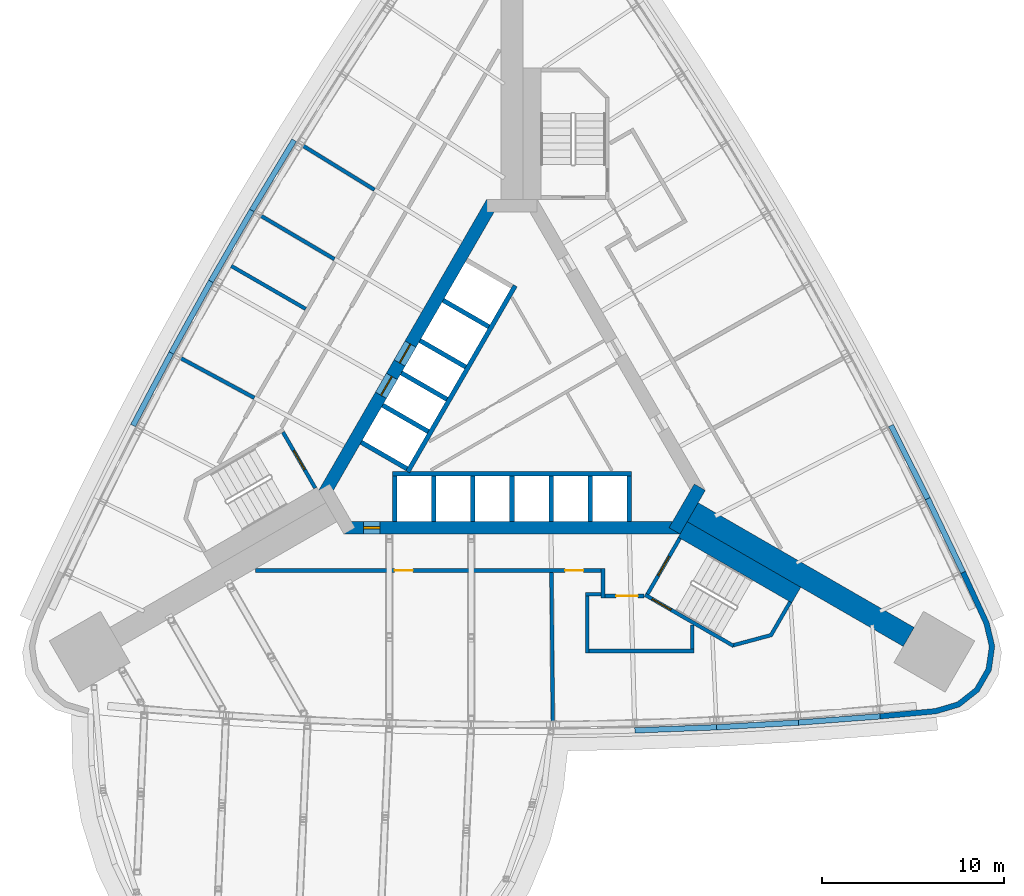
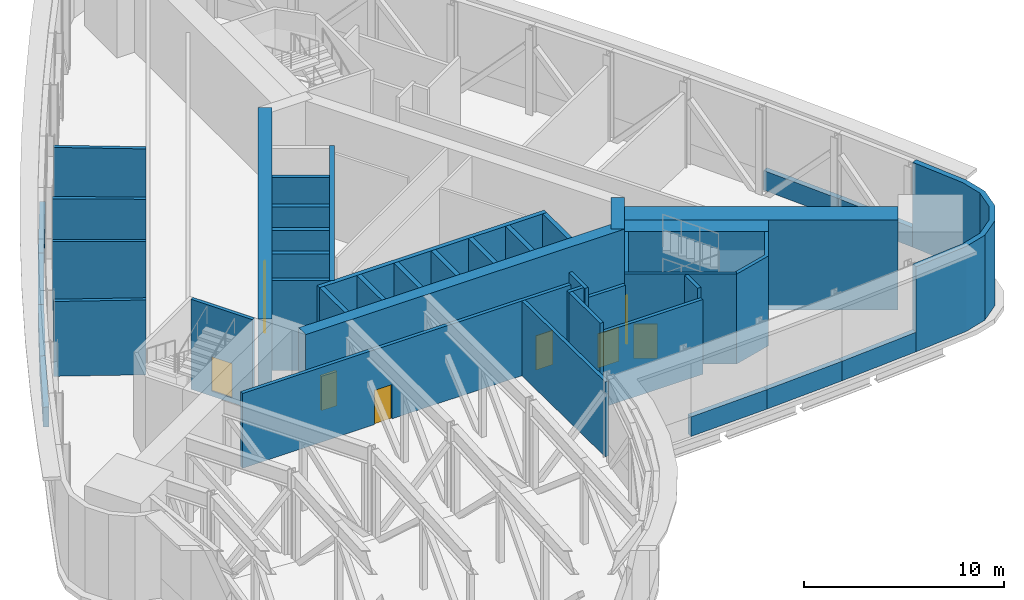
# One storey, part 6 of 10: 45 walls, 9 doors, 9 openings.
"""IFC4 building model written with IfcOpenShell, lengths in metres."""

from ifc_helpers import new_model, si_unit, direction, frame, frame_2d, origin, place, context, subcontext, project, spatial, polyline, rectangle, outline, extrude, material, layer, layer_set, type_object, element, fill, save


model = new_model("IFC4")

# Units and contexts
model_context = context("Model", 3, precision=1e-05, world=origin(), true_north=direction((0.0, 1.0)))
body_context = subcontext(model_context, "Body", "Model", "MODEL_VIEW")
ifc_project = project(units=[si_unit("LENGTHUNIT", "METRE"), si_unit("AREAUNIT", "SQUARE_METRE"), si_unit("VOLUMEUNIT", "CUBIC_METRE"), si_unit("PLANEANGLEUNIT", "RADIAN"), si_unit("MASSUNIT", "GRAM", prefix="KILO")], contexts=[model_context])

# Site, building, storey
site_placement = place(None, origin())
site = spatial("IfcSite", under=ifc_project, at=site_placement, CompositionType="ELEMENT")
building_placement = place(site_placement, origin())
building = spatial("IfcBuilding", under=site, at=building_placement, Name="Noor Cloister Tower", CompositionType="ELEMENT")
storey_placement = place(building_placement, frame((0.0, 0.0, 52.800048828125)))
storey = spatial("IfcBuildingStorey", under=building, at=storey_placement, Name="L13", CompositionType="ELEMENT", Elevation=52.800048828125)

# Wall
ifc_material_1 = material(Name="Concrete C80/95", Category="concrete")
ifc_layer_1 = layer(ifc_material_1, 1.199951171875)
ifc_layer_set_1 = layer_set([ifc_layer_1], Name="Buttress wall 1200 C80/95")
wall_type_1 = type_object("IfcWallType", Name="Buttress wall 1200 C80/95", PredefinedType="SHEAR", material=ifc_layer_set_1)
wall_1_placement = place(storey_placement, frame((9.921630859375, -5.728271484375, -0.300048828125), z_axis=(0.0, 0.0, 1.0), x_axis=(0.866030067197, -0.499991922645, 0.0)))
element("IfcWall", 1, at=wall_1_placement, inside=storey, type_object=wall_type_1, Name="Buttress wall SE L13", PredefinedType="SHEAR", context=body_context, shape_type="SweptSolid", body=[
    extrude(rectangle(XDim=13.698486328125, YDim=1.199951171875, at=frame_2d((6.84912109375, 0.0))), origin(), (0.0, 0.0, 1.0), 5.5),
])

# Wall, opening, door
ifc_material_2 = material(Name="Concrete C80/95", Category="concrete")
ifc_layer_2 = layer(ifc_material_2, 0.699951171875)
ifc_layer_set_2 = layer_set([ifc_layer_2], Name="Core wall 700 C80/95")
wall_type_2 = type_object("IfcWallType", Name="Core wall 700 C80/95", PredefinedType="SHEAR", material=ifc_layer_set_2)
wall_2_placement = place(storey_placement, frame((-9.228759765625, -6.578125, -0.300048828125), z_axis=(0.0, 0.0, 1.0), x_axis=(1.0, 0.0, 0.0)))
wall_2 = element("IfcWall", 2, at=wall_2_placement, inside=storey, type_object=wall_type_2, Name="Core wall L13 1", PredefinedType="SHEAR", context=body_context, shape_type="SweptSolid", body=[
    extrude(rectangle(XDim=18.45751953125, YDim=0.699951171875, at=frame_2d((9.228759765625, 0.0))), origin(), (0.0, 0.0, 1.0), 5.5),
])
opening_1_placement = place(wall_2_placement, frame((1.078857421875, 0.0, 0.300048828125)))
opening_1 = element("IfcOpeningElement", 3, at=opening_1_placement, cuts=wall_2, Name="Opening L13-905", PredefinedType="OPENING", context=body_context, shape_type="SweptSolid", body=[
    extrude(rectangle(XDim=0.89990234375, YDim=2.10009765625, at=frame_2d((0.449951171875, 1.050048828125))), frame((0.0, 0.35986328125, 0.0), z_axis=(0.0, -1.0, 0.0), x_axis=(1.0, 0.0, 0.0)), (0.0, 0.0, 1.0), 0.719970703125),
])
ifc_material_3 = material(Name="Steel", Category="steel")
door_type_1 = type_object("IfcDoorType", Name="Core door 900 x 2100 FD120", OperationType="SINGLE_SWING_LEFT", PredefinedType="DOOR", material=ifc_material_3)
door_1_placement = place(opening_1_placement, origin())
door_1 = element("IfcDoor", 4, at=door_1_placement, inside=storey, type_object=door_type_1, Name="Core door 5 L13", OperationType="SINGLE_SWING_LEFT", OverallHeight=2.10009765625, OverallWidth=0.89990234375, PredefinedType="DOOR", context=body_context, shape_type="SweptSolid", body=[
    extrude(rectangle(XDim=0.89990234375, YDim=2.10009765625, at=frame_2d((0.449951171875, 1.050048828125))), frame((0.0, 0.074951171875, 0.0), z_axis=(0.0, -1.0, 0.0), x_axis=(1.0, 0.0, 0.0)), (0.0, 0.0, 1.0), 0.14990234375),
])
fill(opening_1, door_1)

# Wall
wall_3_placement = place(storey_placement, frame((8.925537109375, -6.753173828125, -0.300048828125), z_axis=(0.0, 0.0, 1.0), x_axis=(0.500042739161, 0.866000726912, 0.0)))
element("IfcWall", 5, at=wall_3_placement, inside=storey, type_object=wall_type_2, Name="Core wall L13 2", PredefinedType="SHEAR", context=body_context, shape_type="SweptSolid", body=[
    extrude(rectangle(XDim=2.771240234375, YDim=0.699951171875, at=frame_2d((1.3857421875, 0.0))), origin(), (0.0, 0.0, 1.0), 5.5),
])

# Wall, openings, doors
wall_4_placement = place(storey_placement, frame((-1.08251953125, 11.281494140625, -0.300048828125), z_axis=(0.0, 0.0, 1.0), x_axis=(-0.500001446645, -0.866024568562, 0.0)))
wall_4 = element("IfcWall", 6, at=wall_4_placement, inside=storey, type_object=wall_type_2, Name="Core wall L13 5", PredefinedType="SHEAR", context=body_context, shape_type="SweptSolid", body=[
    extrude(rectangle(XDim=18.45751953125, YDim=0.699951171875, at=frame_2d((9.228759765625, 0.0))), origin(), (0.0, 0.0, 1.0), 5.5),
])
opening_2_placement = place(wall_4_placement, frame((8.978759765625, 0.0, 0.300048828125)))
opening_2 = element("IfcOpeningElement", 7, at=opening_2_placement, cuts=wall_4, Name="Opening L13-FF1", PredefinedType="OPENING", context=body_context, shape_type="SweptSolid", body=[
    extrude(rectangle(XDim=1.199951171875, YDim=2.10009765625, at=frame_2d((0.60009765625, 1.050048828125))), frame((0.0, 0.35986328125, 0.0), z_axis=(0.0, -1.0, 0.0), x_axis=(1.0, 0.0, 0.0)), (0.0, 0.0, 1.0), 0.719970703125),
])
opening_3_placement = place(wall_4_placement, frame((11.02880859375, 0.0, 0.300048828125)))
opening_3 = element("IfcOpeningElement", 8, at=opening_3_placement, cuts=wall_4, Name="Opening L13-FF2", PredefinedType="OPENING", context=body_context, shape_type="SweptSolid", body=[
    extrude(rectangle(XDim=1.199951171875, YDim=2.10009765625, at=frame_2d((0.60009765625, 1.050048828125))), frame((0.0, 0.35986328125, 0.0), z_axis=(0.0, -1.0, 0.0), x_axis=(1.0, 0.0, 0.0)), (0.0, 0.0, 1.0), 0.719970703125),
])
ifc_material_4 = material(Name="Stainless steel", Category="steel")
door_type_2 = type_object("IfcDoorType", Name="Lift landing door 1200 x 2100", OperationType="DOUBLE_DOOR_SLIDING", PredefinedType="DOOR", material=ifc_material_4)
door_2_placement = place(opening_2_placement, origin())
door_2 = element("IfcDoor", 9, at=door_2_placement, inside=storey, type_object=door_type_2, Name="Landing door FF1 L13", OperationType="DOUBLE_DOOR_SLIDING", OverallHeight=2.10009765625, OverallWidth=1.199951171875, PredefinedType="DOOR", context=body_context, shape_type="SweptSolid", body=[
    extrude(rectangle(XDim=1.199951171875, YDim=2.10009765625, at=frame_2d((0.60009765625, 1.050048828125))), frame((0.0, 0.02490234375, 0.0), z_axis=(0.0, -1.0, 0.0), x_axis=(1.0, 0.0, 0.0)), (0.0, 0.0, 1.0), 0.050048828125),
])
fill(opening_2, door_2)
door_3_placement = place(opening_3_placement, origin())
door_3 = element("IfcDoor", 10, at=door_3_placement, inside=storey, type_object=door_type_2, Name="Landing door FF2 L13", OperationType="DOUBLE_DOOR_SLIDING", OverallHeight=2.10009765625, OverallWidth=1.199951171875, PredefinedType="DOOR", context=body_context, shape_type="SweptSolid", body=[
    extrude(rectangle(XDim=1.199951171875, YDim=2.10009765625, at=frame_2d((0.60009765625, 1.050048828125))), frame((0.0, 0.02490234375, 0.0), z_axis=(0.0, -1.0, 0.0), x_axis=(1.0, 0.0, 0.0)), (0.0, 0.0, 1.0), 0.050048828125),
])
fill(opening_3, door_3)

# Walls
ifc_material_5 = material(Name="Limestone", Category="masonry")
ifc_layer_3 = layer(ifc_material_5, 0.300048828125)
ifc_layer_set_3 = layer_set([ifc_layer_3], Name="Limestone cladding 300")
wall_type_3 = type_object("IfcWallType", Name="Limestone cladding 300", PredefinedType="NOTDEFINED", material=ifc_layer_set_3)
wall_5_placement = place(storey_placement, origin())
element("IfcWall", 11, at=wall_5_placement, inside=storey, type_object=wall_type_3, Name="Limestone pier cladding L13 2.1", PredefinedType="NOTDEFINED", context=body_context, shape_type="SweptSolid", body=[
    extrude(outline(polyline([(20.22509765625, -17.085205078125), (23.29736328125, -16.80029296875), (24.587890625, -16.417236328125), (25.644775390625, -15.583251953125), (26.31787109375, -14.41748046875), (26.511474609375, -13.085205078125), (26.1982421875, -11.77587890625), (24.908935546875, -8.972900390625), (24.63623046875, -9.09814453125), (25.913330078125, -11.87451171875), (26.206298828125, -13.098876953125), (26.029296875, -14.317138671875), (25.413818359375, -15.383544921875), (24.447265625, -16.14599609375), (23.240234375, -16.50439453125), (20.197265625, -16.78662109375), (20.22509765625, -17.085205078125)])), origin(), (0.0, 0.0, 1.0), 5.199951171875),
])
ifc_material_6 = material(Name="Limestone", Category="masonry")
ifc_layer_4 = layer(ifc_material_6, 0.300048828125)
ifc_layer_set_4 = layer_set([ifc_layer_4], Name="Limestone panel wall 300")
wall_type_4 = type_object("IfcWallType", Name="Limestone panel wall 300", PredefinedType="NOTDEFINED", material=ifc_layer_set_4)
wall_6_placement = place(storey_placement, origin())
element("IfcWall", 12, at=wall_6_placement, inside=storey, type_object=wall_type_4, Name="Limestone panel wall L13 1.4", PredefinedType="NOTDEFINED", context=body_context, shape_type="SweptSolid", body=[
    extrude(outline(polyline([(-12.091064453125, 14.77392578125), (-14.4150390625, 10.920654296875), (-14.158203125, 10.765625), (-11.834228515625, 14.618896484375), (-12.091064453125, 14.77392578125)])), origin(), (0.0, 0.0, 1.0), 1.199951171875),
])
wall_7_placement = place(storey_placement, origin())
element("IfcWall", 13, at=wall_7_placement, inside=storey, type_object=wall_type_4, Name="Limestone panel wall L13 1.5", PredefinedType="NOTDEFINED", context=body_context, shape_type="SweptSolid", body=[
    extrude(outline(polyline([(-14.4150390625, 10.920654296875), (-16.6650390625, 7.0234375), (-16.4052734375, 6.87353515625), (-14.1552734375, 10.7705078125), (-14.4150390625, 10.920654296875)])), origin(), (0.0, 0.0, 1.0), 1.199951171875),
])
wall_8_placement = place(storey_placement, origin())
element("IfcWall", 14, at=wall_8_placement, inside=storey, type_object=wall_type_4, Name="Limestone panel wall L13 1.6", PredefinedType="NOTDEFINED", context=body_context, shape_type="SweptSolid", body=[
    extrude(outline(polyline([(-16.6650390625, 7.0234375), (-18.840087890625, 3.084228515625), (-18.57763671875, 2.939208984375), (-16.40234375, 6.87841796875), (-16.6650390625, 7.0234375)])), origin(), (0.0, 0.0, 1.0), 1.199951171875),
])
wall_9_placement = place(storey_placement, origin())
element("IfcWall", 15, at=wall_9_placement, inside=storey, type_object=wall_type_4, Name="Limestone panel wall L13 1.7", PredefinedType="NOTDEFINED", context=body_context, shape_type="SweptSolid", body=[
    extrude(outline(polyline([(-18.840087890625, 3.084228515625), (-20.939697265625, -0.89599609375), (-20.67431640625, -1.035888671875), (-18.57470703125, 2.9443359375), (-18.840087890625, 3.084228515625)])), origin(), (0.0, 0.0, 1.0), 1.199951171875),
])
wall_10_placement = place(storey_placement, origin())
element("IfcWall", 16, at=wall_10_placement, inside=storey, type_object=wall_type_4, Name="Limestone panel wall L13 3.2", PredefinedType="NOTDEFINED", context=body_context, shape_type="SweptSolid", body=[
    extrude(outline(polyline([(6.7490234375, -17.858154296875), (11.24560546875, -17.686279296875), (11.234375, -17.386474609375), (6.737548828125, -17.558349609375), (6.7490234375, -17.858154296875)])), origin(), (0.0, 0.0, 1.0), 1.199951171875),
])
wall_11_placement = place(storey_placement, origin())
element("IfcWall", 17, at=wall_11_placement, inside=storey, type_object=wall_type_4, Name="Limestone panel wall L13 3.3", PredefinedType="NOTDEFINED", context=body_context, shape_type="SweptSolid", body=[
    extrude(outline(polyline([(11.24560546875, -17.686279296875), (15.73828125, -17.4287109375), (15.72119140625, -17.129150390625), (11.228515625, -17.38671875), (11.24560546875, -17.686279296875)])), origin(), (0.0, 0.0, 1.0), 1.199951171875),
])
wall_12_placement = place(storey_placement, origin())
element("IfcWall", 18, at=wall_12_placement, inside=storey, type_object=wall_type_4, Name="Limestone panel wall L13 3.4", PredefinedType="NOTDEFINED", context=body_context, shape_type="SweptSolid", body=[
    extrude(outline(polyline([(15.73828125, -17.4287109375), (20.22509765625, -17.085205078125), (20.2021484375, -16.7861328125), (15.71533203125, -17.129638671875), (15.73828125, -17.4287109375)])), origin(), (0.0, 0.0, 1.0), 1.199951171875),
])
wall_13_placement = place(storey_placement, origin())
element("IfcWall", 19, at=wall_13_placement, inside=storey, type_object=wall_type_4, Name="Limestone panel wall L13 4.1", PredefinedType="NOTDEFINED", context=body_context, shape_type="SweptSolid", body=[
    extrude(outline(polyline([(24.908935546875, -8.972900390625), (22.962890625, -4.91552734375), (22.6923828125, -5.045166015625), (24.638427734375, -9.1025390625), (24.908935546875, -8.972900390625)])), origin(), (0.0, 0.0, 1.0), 1.199951171875),
])
wall_14_placement = place(storey_placement, origin())
element("IfcWall", 20, at=wall_14_placement, inside=storey, type_object=wall_type_4, Name="Limestone panel wall L13 4.2", PredefinedType="NOTDEFINED", context=body_context, shape_type="SweptSolid", body=[
    extrude(outline(polyline([(22.962890625, -4.91552734375), (20.939697265625, -0.89599609375), (20.671630859375, -1.03076171875), (22.69482421875, -5.05029296875), (22.962890625, -4.91552734375)])), origin(), (0.0, 0.0, 1.0), 1.199951171875),
])
ifc_material_7 = material(Name="Concrete C80/95", Category="concrete")
ifc_layer_5 = layer(ifc_material_7, 0.25)
ifc_layer_set_5 = layer_set([ifc_layer_5], Name="Shaft wall 250 C80/95")
wall_type_5 = type_object("IfcWallType", Name="Shaft wall 250 C80/95", PredefinedType="PARTITIONING", material=ifc_layer_set_5)
for number, where, z_axis, x_axis, name in (
    (21, (-6.449951171875, -6.228271484375, -0.300048828125), (0.0, 0.0, 1.0), (0.0, 1.0, 0.0), "Lift shaft wall L13 S 1"),
    (22, (-4.300048828125, -6.228271484375, -0.300048828125), (0.0, 0.0, 1.0), (0.0, 1.0, 0.0), "Lift shaft wall L13 S 2"),
    (23, (-2.14990234375, -6.228271484375, -0.300048828125), (0.0, 0.0, 1.0), (0.0, 1.0, 0.0), "Lift shaft wall L13 S 3"),
    (24, (0.0, -6.228271484375, -0.300048828125), (0.0, 0.0, 1.0), (0.0, 1.0, 0.0), "Lift shaft wall L13 S 4"),
    (25, (2.14990234375, -6.228271484375, -0.300048828125), (0.0, 0.0, 1.0), (0.0, 1.0, 0.0), "Lift shaft wall L13 S 5"),
    (26, (4.300048828125, -6.228271484375, -0.300048828125), (0.0, 0.0, 1.0), (0.0, 1.0, 0.0), "Lift shaft wall L13 S 6"),
    (27, (6.449951171875, -6.228271484375, -0.300048828125), (0.0, 0.0, 1.0), (0.0, 1.0, 0.0), "Lift shaft wall L13 S 7"),
):
    element("IfcWall", number, at=place(storey_placement, frame(where, z_axis=z_axis, x_axis=x_axis)), inside=storey, type_object=wall_type_5, Name=name, PredefinedType="PARTITIONING", context=body_context, shape_type="SweptSolid", body=[
        extrude(rectangle(XDim=2.5, YDim=0.25, at=frame_2d((1.25, 0.0))), origin(), (0.0, 0.0, 1.0), 5.5),
    ])
wall_15_placement = place(storey_placement, frame((-6.574951171875, -3.603271484375, 0.0), z_axis=(0.0, 0.0, 1.0), x_axis=(1.0, 0.0, 0.0)))
element("IfcWall", 28, at=wall_15_placement, inside=storey, type_object=wall_type_5, Name="Lift shaft back wall L13 S", PredefinedType="PARTITIONING", context=body_context, shape_type="SweptSolid", body=[
    extrude(rectangle(XDim=13.14990234375, YDim=0.25, at=frame_2d((6.574951171875, 0.0))), origin(), (0.0, 0.0, 1.0), 5.199951171875),
])
for number, where, z_axis, x_axis, name in (
    (29, (-3.78125, 5.906982421875, -0.300048828125), (0.0, 0.0, 1.0), (0.866032775405, -0.499987231761, 0.0), "Lift shaft wall L13 NW 2"),
    (30, (-5.056396484375, 3.69873046875, -0.300048828125), (0.0, 0.0, 1.0), (0.866032775405, -0.499987231761, 0.0), "Lift shaft wall L13 NW 3"),
    (31, (-6.081298828125, 1.92333984375, -0.300048828125), (0.0, 0.0, 1.0), (0.866032775405, -0.499987231761, 0.0), "Lift shaft wall L13 NW 4"),
    (32, (-7.106201171875, 0.14794921875, -0.300048828125), (0.0, 0.0, 1.0), (0.866032775405, -0.499987231761, 0.0), "Lift shaft wall L13 NW 5"),
    (33, (-8.28125, -1.88720703125, -0.300048828125), (0.0, 0.0, 1.0), (0.866032775405, -0.499987231761, 0.0), "Lift shaft wall L13 NW 6"),
):
    element("IfcWall", number, at=place(storey_placement, frame(where, z_axis=z_axis, x_axis=x_axis)), inside=storey, type_object=wall_type_5, Name=name, PredefinedType="PARTITIONING", context=body_context, shape_type="SweptSolid", body=[
        extrude(rectangle(XDim=2.89990234375, YDim=0.25, at=frame_2d((1.449951171875, 0.0))), origin(), (0.0, 0.0, 1.0), 5.5),
    ])
wall_16_placement = place(storey_placement, frame((0.176025390625, 6.711181640625, 0.0), z_axis=(0.0, 0.0, 1.0), x_axis=(-0.500004227369, -0.866022963098, 0.0)))
element("IfcWall", 34, at=wall_16_placement, inside=storey, type_object=wall_type_5, Name="Lift shaft back wall L13 NW", PredefinedType="PARTITIONING", context=body_context, shape_type="SweptSolid", body=[
    extrude(rectangle(XDim=11.80029296875, YDim=0.25, at=frame_2d((5.900146484375, 0.0))), origin(), (0.0, 0.0, 1.0), 5.199951171875),
])

# Wall, opening, door
ifc_material_8 = material(Name="Concrete C80/95", Category="concrete")
ifc_layer_6 = layer(ifc_material_8, 0.199951171875)
ifc_layer_set_6 = layer_set([ifc_layer_6], Name="Stair enclosure wall 200 C80/95")
wall_type_6 = type_object("IfcWallType", Name="Stair enclosure wall 200 C80/95", PredefinedType="SHEAR", material=ifc_layer_set_6)
wall_17_placement = place(storey_placement, frame((-12.575927734375, -1.33056640625, -0.300048828125), z_axis=(0.0, 0.0, 1.0), x_axis=(0.499970499736, -0.8660424351, 0.0)))
wall_17 = element("IfcWall", 35, at=wall_17_placement, inside=storey, type_object=wall_type_6, Name="Stair enclosure wall ST2 L13 near end", PredefinedType="SHEAR", context=body_context, shape_type="SweptSolid", body=[
    extrude(rectangle(XDim=3.550048828125, YDim=0.199951171875, at=frame_2d((1.77490234375, 0.0))), origin(), (0.0, 0.0, 1.0), 5.5),
])
opening_4_placement = place(wall_17_placement, frame((1.175048828125, 0.0, 0.300048828125)))
opening_4 = element("IfcOpeningElement", 36, at=opening_4_placement, cuts=wall_17, Name="Opening L13-ST2L", PredefinedType="OPENING", context=body_context, shape_type="SweptSolid", body=[
    extrude(rectangle(XDim=1.199951171875, YDim=2.10009765625, at=frame_2d((0.60009765625, 1.050048828125))), frame((0.0, 0.10986328125, 0.0), z_axis=(0.0, -1.0, 0.0), x_axis=(1.0, 0.0, 0.0)), (0.0, 0.0, 1.0), 0.219970703125),
])
ifc_material_9 = material(Name="Steel", Category="steel")
door_type_3 = type_object("IfcDoorType", Name="Stair door 1200 x 2100 FD120", OperationType="SINGLE_SWING_LEFT", PredefinedType="DOOR", material=ifc_material_9)
door_4_placement = place(opening_4_placement, origin())
door_4 = element("IfcDoor", 37, at=door_4_placement, inside=storey, type_object=door_type_3, Name="Stair door ST2 L13", OperationType="SINGLE_SWING_RIGHT", OverallHeight=2.10009765625, OverallWidth=1.199951171875, PredefinedType="DOOR", context=body_context, shape_type="SweptSolid", body=[
    extrude(rectangle(XDim=1.199951171875, YDim=2.10009765625, at=frame_2d((0.60009765625, 1.050048828125))), frame((0.0, 0.02490234375, 0.0), z_axis=(0.0, -1.0, 0.0), x_axis=(1.0, 0.0, 0.0)), (0.0, 0.0, 1.0), 0.050048828125),
])
fill(opening_4, door_4)

wall_18_placement = place(storey_placement, frame((7.440185546875, -10.225830078125, -0.300048828125), z_axis=(0.0, 0.0, 1.0), x_axis=(0.500022077904, 0.866012656725, 0.0)))
wall_18 = element("IfcWall", 38, at=wall_18_placement, inside=storey, type_object=wall_type_6, Name="Stair enclosure wall ST3 L13 near end", PredefinedType="SHEAR", context=body_context, shape_type="SweptSolid", body=[
    extrude(rectangle(XDim=3.550048828125, YDim=0.199951171875, at=frame_2d((1.77490234375, 0.0))), origin(), (0.0, 0.0, 1.0), 5.5),
])
opening_5_placement = place(wall_18_placement, frame((1.175048828125, 0.0, 0.300048828125)))
opening_5 = element("IfcOpeningElement", 39, at=opening_5_placement, cuts=wall_18, Name="Opening L13-ST3L", PredefinedType="OPENING", context=body_context, shape_type="SweptSolid", body=[
    extrude(rectangle(XDim=1.199951171875, YDim=2.10009765625, at=frame_2d((0.60009765625, 1.050048828125))), frame((0.0, 0.10986328125, 0.0), z_axis=(0.0, -1.0, 0.0), x_axis=(1.0, 0.0, 0.0)), (0.0, 0.0, 1.0), 0.219970703125),
])
door_5_placement = place(opening_5_placement, origin())
door_5 = element("IfcDoor", 40, at=door_5_placement, inside=storey, type_object=door_type_3, Name="Stair door ST3 L13", OperationType="SINGLE_SWING_RIGHT", OverallHeight=2.10009765625, OverallWidth=1.199951171875, PredefinedType="DOOR", context=body_context, shape_type="SweptSolid", body=[
    extrude(rectangle(XDim=1.199951171875, YDim=2.10009765625, at=frame_2d((0.60009765625, 1.050048828125))), frame((0.0, 0.02490234375, 0.0), z_axis=(0.0, -1.0, 0.0), x_axis=(1.0, 0.0, 0.0)), (0.0, 0.0, 1.0), 0.050048828125),
])
fill(opening_5, door_5)

wall_19_placement = place(storey_placement, frame((7.3037109375, -10.262451171875, -0.300048828125), z_axis=(0.0, 0.0, 1.0), x_axis=(0.866026594901, -0.49999793692, 0.0)))
wall_19 = element("IfcWall", 41, at=wall_19_placement, inside=storey, type_object=wall_type_6, Name="Stair enclosure wall ST3 L13 outer side", PredefinedType="SHEAR", context=body_context, shape_type="SweptSolid", body=[
    extrude(rectangle(XDim=5.60009765625, YDim=0.199951171875, at=frame_2d((2.800048828125, 0.0))), origin(), (0.0, 0.0, 1.0), 5.5),
])
opening_6_placement = place(wall_19_placement, frame((0.449951171875, 0.0, 0.300048828125)))
opening_6 = element("IfcOpeningElement", 42, at=opening_6_placement, cuts=wall_19, Name="Opening L13-ST3C", PredefinedType="OPENING", context=body_context, shape_type="SweptSolid", body=[
    extrude(rectangle(XDim=1.199951171875, YDim=2.10009765625, at=frame_2d((0.60009765625, 1.050048828125))), frame((0.0, 0.10986328125, 0.0), z_axis=(0.0, -1.0, 0.0), x_axis=(1.0, 0.0, 0.0)), (0.0, 0.0, 1.0), 0.219970703125),
])
door_6_placement = place(opening_6_placement, origin())
door_6 = element("IfcDoor", 43, at=door_6_placement, inside=storey, type_object=door_type_3, Name="Stair door ST3 L13", OperationType="SINGLE_SWING_LEFT", OverallHeight=2.10009765625, OverallWidth=1.199951171875, PredefinedType="DOOR", context=body_context, shape_type="SweptSolid", body=[
    extrude(rectangle(XDim=1.199951171875, YDim=2.10009765625, at=frame_2d((0.60009765625, 1.050048828125))), frame((0.0, 0.02490234375, 0.0), z_axis=(0.0, -1.0, 0.0), x_axis=(1.0, 0.0, 0.0)), (0.0, 0.0, 1.0), 0.050048828125),
])
fill(opening_6, door_6)

# Walls
ifc_material_10 = material(Name="Concrete C80/95", Category="concrete")
ifc_layer_7 = layer(ifc_material_10, 0.986083984375)
ifc_layer_set_7 = layer_set([ifc_layer_7], Name="Stair enclosure wall 986 C80/95")
wall_type_7 = type_object("IfcWallType", Name="Stair enclosure wall 986 C80/95", PredefinedType="SHEAR", material=ifc_layer_set_7)
wall_20_placement = place(storey_placement, frame((9.375, -6.674560546875, -0.300048828125), z_axis=(0.0, 0.0, 1.0), x_axis=(0.866026919366, -0.499997374926, 0.0)))
element("IfcWall", 44, at=wall_20_placement, inside=storey, type_object=wall_type_7, Name="Stair enclosure wall ST3 L13 riser side", PredefinedType="SHEAR", context=body_context, shape_type="SweptSolid", body=[
    extrude(rectangle(XDim=7.2001953125, YDim=0.985595703125, at=frame_2d((3.60009765625, 0.0))), origin(), (0.0, 0.0, 1.0), 5.5),
])
ifc_material_11 = material(Name="Concrete C80/95", Category="concrete")
wall_type_8 = type_object("IfcWallType", Name="Stair far end wall C80/95", PredefinedType="SHEAR", material=ifc_material_11)
wall_21_placement = place(storey_placement, frame((0.0, 0.0, -0.300048828125)))
element("IfcWall", 45, at=wall_21_placement, inside=storey, type_object=wall_type_8, Name="Stair enclosure wall ST3 L13 far end", PredefinedType="SHEAR", context=body_context, shape_type="SweptSolid", body=[
    extrude(outline(polyline([(12.103515625, -13.14892578125), (14.2890625, -12.5634765625), (15.364013671875, -10.701416015625), (15.19091796875, -10.601318359375), (14.1572265625, -12.3916015625), (12.131591796875, -12.934326171875), (12.20361328125, -12.975830078125), (12.20361328125, -12.975830078125), (12.20361328125, -12.975830078125), (12.20361328125, -12.975830078125), (12.20361328125, -12.975830078125), (12.20361328125, -12.975830078125), (12.20361328125, -12.975830078125), (12.20361328125, -12.975830078125), (12.20361328125, -12.975830078125), (12.20361328125, -12.975830078125), (12.20361328125, -12.975830078125), (12.20361328125, -12.975830078125), (12.20361328125, -12.975830078125), (12.20361328125, -12.975830078125), (12.20361328125, -12.975830078125), (12.20361328125, -12.975830078125), (12.20361328125, -12.975830078125), (12.103515625, -13.14892578125)])), origin(), (0.0, 0.0, 1.0), 5.5),
])
ifc_material_12 = material(Name="Concrete block wall, 200 mm", Category="concrete")
ifc_layer_8 = layer(ifc_material_12, 0.199951171875)
ifc_layer_set_8 = layer_set([ifc_layer_8], Name="Upper floor plant room wall 200")
wall_type_9 = type_object("IfcWallType", Name="Upper floor plant room wall 200", PredefinedType="PARTITIONING", material=ifc_layer_set_8)
wall_22_placement = place(storey_placement, frame((-11.4951171875, 14.40673828125, 0.0), z_axis=(0.0, 0.0, 1.0), x_axis=(0.85135577801, -0.524588733437, 0.0)))
element("IfcWall", 46, at=wall_22_placement, inside=storey, type_object=wall_type_9, Name="Upper floor plant room wall 200 L13 003", PredefinedType="PARTITIONING", context=body_context, shape_type="SweptSolid", body=[
    extrude(rectangle(XDim=4.62939453125, YDim=0.199951171875, at=frame_2d((2.314697265625, 0.0))), origin(), (0.0, 0.0, 1.0), 4.577880859375),
])
wall_23_placement = place(storey_placement, frame((-13.812255859375, 10.564697265625, 0.0), z_axis=(0.0, 0.0, 1.0), x_axis=(0.861211921062, -0.508246030009, 0.0)))
element("IfcWall", 47, at=wall_23_placement, inside=storey, type_object=wall_type_9, Name="Upper floor plant room wall 200 L13 004", PredefinedType="PARTITIONING", context=body_context, shape_type="SweptSolid", body=[
    extrude(rectangle(XDim=4.715087890625, YDim=0.199951171875, at=frame_2d((2.357421875, 0.0))), origin(), (0.0, 0.0, 1.0), 4.577880859375),
])
wall_24_placement = place(storey_placement, frame((-15.41259765625, 7.792724609375, 0.0), z_axis=(0.0, 0.0, 1.0), x_axis=(0.866023505087, -0.500003288626, 0.0)))
element("IfcWall", 48, at=wall_24_placement, inside=storey, type_object=wall_type_9, Name="Upper floor plant room wall 200 L13 005", PredefinedType="PARTITIONING", context=body_context, shape_type="SweptSolid", body=[
    extrude(rectangle(XDim=4.7158203125, YDim=0.199951171875, at=frame_2d((2.35791015625, 0.0))), origin(), (0.0, 0.0, 1.0), 4.197021484375),
])
wall_25_placement = place(storey_placement, frame((-18.22412109375, 2.751708984375, 0.0), z_axis=(0.0, 0.0, 1.0), x_axis=(0.879981234657, -0.475008449032, 0.0)))
element("IfcWall", 49, at=wall_25_placement, inside=storey, type_object=wall_type_9, Name="Upper floor plant room wall 200 L13 006", PredefinedType="PARTITIONING", context=body_context, shape_type="SweptSolid", body=[
    extrude(rectangle(XDim=4.62939453125, YDim=0.199951171875, at=frame_2d((2.314697265625, 0.0))), origin(), (0.0, 0.0, 1.0), 4.577880859375),
])
wall_26_placement = place(storey_placement, frame((4.03564453125, -10.228271484375, 0.0), z_axis=(0.0, 0.0, 1.0), x_axis=(1.0, 0.0, 0.0)))
element("IfcWall", 50, at=wall_26_placement, inside=storey, type_object=wall_type_9, Name="Upper floor plant room wall 200 L13 007", PredefinedType="PARTITIONING", context=body_context, shape_type="SweptSolid", body=[
    extrude(rectangle(XDim=0.8642578125, YDim=0.199951171875, at=frame_2d((0.43212890625, 0.0))), origin(), (0.0, 0.0, 1.0), 5.199951171875),
])
wall_27_placement = place(storey_placement, frame((5.0, -10.42822265625, 0.0), z_axis=(0.0, 0.0, 1.0), x_axis=(0.0, 1.0, 0.0)))
element("IfcWall", 51, at=wall_27_placement, inside=storey, type_object=wall_type_9, Name="Upper floor plant room wall 200 L13 008", PredefinedType="PARTITIONING", context=body_context, shape_type="SweptSolid", body=[
    extrude(rectangle(XDim=1.59814453125, YDim=0.199951171875, at=frame_2d((0.799072265625, 0.0))), origin(), (0.0, 0.0, 1.0), 5.199951171875),
])

# Wall, opening, door
wall_28_placement = place(storey_placement, frame((5.10009765625, -10.328125, 0.0), z_axis=(0.0, 0.0, 1.0), x_axis=(1.0, 0.0, 0.0)))
wall_28 = element("IfcWall", 52, at=wall_28_placement, inside=storey, type_object=wall_type_9, Name="Upper floor plant room wall 200 L13 009", PredefinedType="PARTITIONING", context=body_context, shape_type="SweptSolid", body=[
    extrude(rectangle(XDim=2.153564453125, YDim=0.199951171875, at=frame_2d((1.07666015625, 0.0))), origin(), (0.0, 0.0, 1.0), 4.577880859375),
])
opening_7_placement = place(wall_28_placement, frame((0.61474609375, 0.0, 0.0)))
opening_7 = element("IfcOpeningElement", 53, at=opening_7_placement, cuts=wall_28, Name="Opening L13-009", PredefinedType="OPENING", context=body_context, shape_type="SweptSolid", body=[
    extrude(rectangle(XDim=1.199951171875, YDim=2.10009765625, at=frame_2d((0.60009765625, 1.050048828125))), frame((0.0, 0.10986328125, 0.0), z_axis=(0.0, -1.0, 0.0), x_axis=(1.0, 0.0, 0.0)), (0.0, 0.0, 1.0), 0.219970703125),
])
ifc_material_13 = material(Name="Timber door leaf with steel frame", Category="steel")
door_type_4 = type_object("IfcDoorType", Name="Protected lobby door 1200", OperationType="NOTDEFINED", PredefinedType="DOOR", material=ifc_material_13)
door_7_placement = place(opening_7_placement, origin())
door_7 = element("IfcDoor", 54, at=door_7_placement, inside=storey, type_object=door_type_4, Name="Protected lobby door 1200 L13-009", OperationType="SINGLE_SWING_RIGHT", OverallHeight=2.10009765625, OverallWidth=1.199951171875, PredefinedType="DOOR", context=body_context, shape_type="SweptSolid", body=[
    extrude(rectangle(XDim=1.199951171875, YDim=2.10009765625, at=frame_2d((0.60009765625, 1.050048828125))), frame((0.0, 0.02490234375, 0.0), z_axis=(0.0, -1.0, 0.0), x_axis=(1.0, 0.0, 0.0)), (0.0, 0.0, 1.0), 0.050048828125),
])
fill(opening_7, door_7)

# Wall, openings, doors
wall_29_placement = place(storey_placement, frame((-14.0908203125, -8.92822265625, 0.0), z_axis=(0.0, 0.0, 1.0), x_axis=(1.0, 0.0, 0.0)))
wall_29 = element("IfcWall", 55, at=wall_29_placement, inside=storey, type_object=wall_type_9, Name="Upper floor plant room wall 200 L13 010", PredefinedType="PARTITIONING", context=body_context, shape_type="SweptSolid", body=[
    extrude(rectangle(XDim=18.99072265625, YDim=0.199951171875, at=frame_2d((9.495361328125, 0.0))), origin(), (0.0, 0.0, 1.0), 4.577880859375),
])
opening_8_placement = place(wall_29_placement, frame((7.6416015625, 0.0, 0.0)))
opening_8 = element("IfcOpeningElement", 56, at=opening_8_placement, cuts=wall_29, Name="Opening L13-007", PredefinedType="OPENING", context=body_context, shape_type="SweptSolid", body=[
    extrude(rectangle(XDim=1.0, YDim=2.10009765625, at=frame_2d((0.5, 1.050048828125))), frame((0.0, 0.10986328125, 0.0), z_axis=(0.0, -1.0, 0.0), x_axis=(1.0, 0.0, 0.0)), (0.0, 0.0, 1.0), 0.219970703125),
])
opening_9_placement = place(wall_29_placement, frame((17.0107421875, 0.0, 0.0)))
opening_9 = element("IfcOpeningElement", 57, at=opening_9_placement, cuts=wall_29, Name="Opening L13-008", PredefinedType="OPENING", context=body_context, shape_type="SweptSolid", body=[
    extrude(rectangle(XDim=1.0, YDim=2.10009765625, at=frame_2d((0.5, 1.050048828125))), frame((0.0, 0.10986328125, 0.0), z_axis=(0.0, -1.0, 0.0), x_axis=(1.0, 0.0, 0.0)), (0.0, 0.0, 1.0), 0.219970703125),
])
ifc_material_14 = material(Name="Timber door leaf with steel frame", Category="steel")
door_type_5 = type_object("IfcDoorType", Name="Plant room door 1000", OperationType="NOTDEFINED", PredefinedType="DOOR", material=ifc_material_14)
door_8_placement = place(opening_8_placement, origin())
door_8 = element("IfcDoor", 58, at=door_8_placement, inside=storey, type_object=door_type_5, Name="Plant room door 1000 L13-007", OperationType="SINGLE_SWING_LEFT", OverallHeight=2.10009765625, OverallWidth=1.0, PredefinedType="DOOR", context=body_context, shape_type="SweptSolid", body=[
    extrude(rectangle(XDim=1.0, YDim=2.10009765625, at=frame_2d((0.5, 1.050048828125))), frame((0.0, 0.02490234375, 0.0), z_axis=(0.0, -1.0, 0.0), x_axis=(1.0, 0.0, 0.0)), (0.0, 0.0, 1.0), 0.050048828125),
])
fill(opening_8, door_8)
door_9_placement = place(opening_9_placement, origin())
door_9 = element("IfcDoor", 59, at=door_9_placement, inside=storey, type_object=door_type_5, Name="Plant room door 1000 L13-008", OperationType="SINGLE_SWING_RIGHT", OverallHeight=2.10009765625, OverallWidth=1.0, PredefinedType="DOOR", context=body_context, shape_type="SweptSolid", body=[
    extrude(rectangle(XDim=1.0, YDim=2.10009765625, at=frame_2d((0.5, 1.050048828125))), frame((0.0, 0.02490234375, 0.0), z_axis=(0.0, -1.0, 0.0), x_axis=(1.0, 0.0, 0.0)), (0.0, 0.0, 1.0), 0.050048828125),
])
fill(opening_9, door_9)

# Walls
wall_30_placement = place(storey_placement, frame((2.164794921875, -9.029296875, 0.0), z_axis=(0.0, 0.0, 1.0), x_axis=(0.009569508604, -0.999954211204, 0.0)))
element("IfcWall", 60, at=wall_30_placement, inside=storey, type_object=wall_type_9, Name="Upper floor plant room wall 200 L13 011", PredefinedType="PARTITIONING", context=body_context, shape_type="SweptSolid", body=[
    extrude(rectangle(XDim=8.215087890625, YDim=0.199951171875, at=frame_2d((4.107421875, 0.0))), origin(), (0.0, 0.0, 1.0), 4.577880859375),
])
wall_31_placement = place(storey_placement, frame((4.133544921875, -10.328125, 0.0), z_axis=(0.0, 0.0, 1.0), x_axis=(0.0, -1.0, 0.0)))
element("IfcWall", 61, at=wall_31_placement, inside=storey, type_object=wall_type_9, Name="Upper floor plant room wall 200 L13 012", PredefinedType="PARTITIONING", context=body_context, shape_type="SweptSolid", body=[
    extrude(rectangle(XDim=3.11962890625, YDim=0.199951171875, at=frame_2d((1.559814453125, 0.0))), origin(), (0.0, 0.0, 1.0), 5.199951171875),
])
wall_32_placement = place(storey_placement, frame((4.233642578125, -13.349853515625, 0.0), z_axis=(0.0, 0.0, 1.0), x_axis=(1.0, 0.0, 0.0)))
element("IfcWall", 62, at=wall_32_placement, inside=storey, type_object=wall_type_9, Name="Upper floor plant room wall 200 L13 013", PredefinedType="PARTITIONING", context=body_context, shape_type="SweptSolid", body=[
    extrude(rectangle(XDim=5.7568359375, YDim=0.199951171875, at=frame_2d((2.87841796875, 0.0))), origin(), (0.0, 0.0, 1.0), 4.577880859375),
])
wall_33_placement = place(storey_placement, frame((9.892578125, -13.249755859375, 0.0), z_axis=(0.0, 0.0, 1.0), x_axis=(0.0, 1.0, 0.0)))
element("IfcWall", 63, at=wall_33_placement, inside=storey, type_object=wall_type_9, Name="Upper floor plant room wall 200 L13 014", PredefinedType="PARTITIONING", context=body_context, shape_type="SweptSolid", body=[
    extrude(rectangle(XDim=1.319580078125, YDim=0.199951171875, at=frame_2d((0.65966796875, 0.0))), origin(), (0.0, 0.0, 1.0), 5.199951171875),
])

save(model, "model.ifc")
